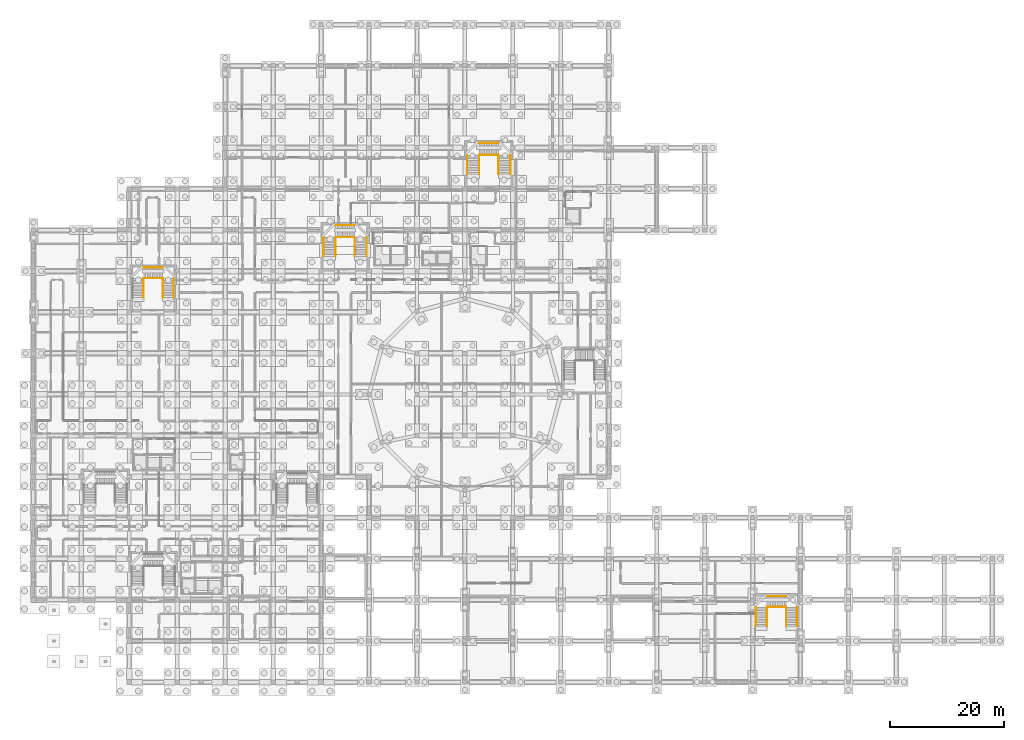
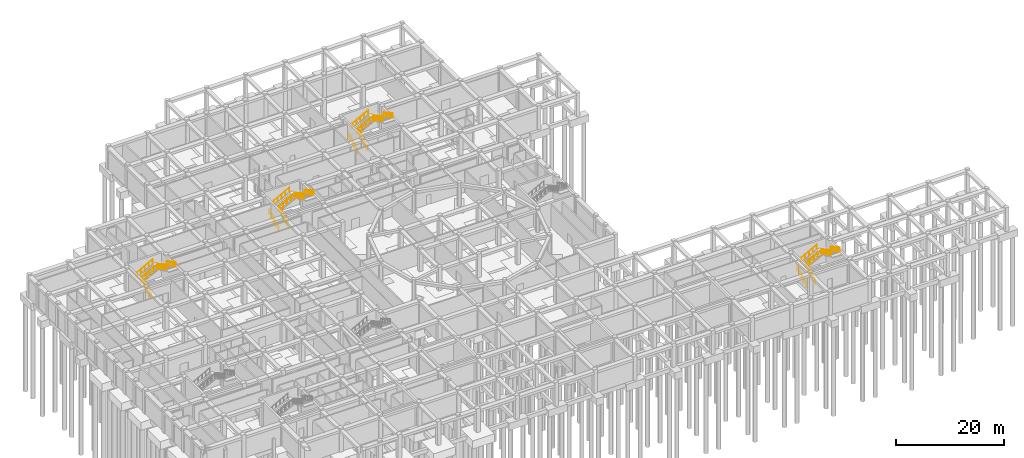
# One storey, part 31 of 32: 23 railings.
"""IFC4 building model written with IfcOpenShell, lengths in metres."""

from ifc_helpers import new_model, si_unit, derived_unit, direction, frame, origin, origin_2d, place, context, subcontext, project, spatial, circle, extrude, material, type_object, element, save


model = new_model("IFC4")

# Units and contexts
model_context = context("Model", 3, precision=1e-05, world=origin(), true_north=direction((0.0, 1.0)))
body_context = subcontext(model_context, "Body", "Model", "MODEL_VIEW")
ifc_project = project(units=[si_unit("LENGTHUNIT", "METRE"), si_unit("AREAUNIT", "SQUARE_METRE"), si_unit("VOLUMEUNIT", "CUBIC_METRE"), si_unit("PLANEANGLEUNIT", "RADIAN"), si_unit("MASSUNIT", "GRAM", prefix="KILO"), derived_unit("THERMALTRANSMITTANCEUNIT", [(si_unit("POWERUNIT", "WATT"), 1), (si_unit("LENGTHUNIT", "METRE"), -2), (si_unit("THERMODYNAMICTEMPERATUREUNIT", "KELVIN"), -1)])], contexts=[model_context])

# Site, building, storey
site_placement = place(None, origin())
site = spatial("IfcSite", under=ifc_project, at=site_placement, CompositionType="ELEMENT")
building_placement = place(site_placement, origin())
building = spatial("IfcBuilding", under=site, at=building_placement, Name="Veybourne Emporium", CompositionType="ELEMENT")
storey_placement = place(building_placement, frame((0.0, 0.0, -5.39990234375)))
storey = spatial("IfcBuildingStorey", under=building, at=storey_placement, Name="B1", CompositionType="ELEMENT", Elevation=-5.39990234375)

# Railings
ifc_material = material(Name="Brushed Stainless Steel", Category="steel")
railing_type_1 = type_object("IfcRailingType", Name="Guard_GR-01", PredefinedType="GUARDRAIL", material=ifc_material)
railing_1_placement = place(storey_placement, frame((52.909912109375, 74.60009765625, 0.0)))
element("IfcRailing", 1, at=railing_1_placement, inside=storey, type_object=railing_type_1, Name="B1 ST-03 stair guard 1", PredefinedType="GUARDRAIL", context=body_context, shape_type="SweptSolid", body=[
    extrude(circle(Radius=0.02392578125, at=origin_2d()), frame((0.0, 0.0, 1.1259765625), z_axis=(0.0, 0.877905501855, 0.478833927173), x_axis=(-1.0, 0.0, 0.0)), (0.0, 0.0, 1.0), 3.7587890625),
    extrude(circle(Radius=0.02392578125, at=origin_2d()), frame((0.0, 3.2998046875, 2.92578125), z_axis=(0.0, 1.0, 0.0), x_axis=(-1.0, 0.0, 0.0)), (0.0, 0.0, 1.0), 0.0400390625),
    extrude(circle(Radius=0.02099609375, at=origin_2d()), origin(), (0.0, 0.0, 1.0), 1.101806640625),
    extrude(circle(Radius=0.02099609375, at=origin_2d()), frame((0.0, 0.824951171875, 0.449951171875)), (0.0, 0.0, 1.0), 1.101806640625),
    extrude(circle(Radius=0.02099609375, at=origin_2d()), frame((0.0, 1.64990234375, 0.89990234375)), (0.0, 0.0, 1.0), 1.101806640625),
    extrude(circle(Radius=0.02099609375, at=origin_2d()), frame((0.0, 2.474853515625, 1.349853515625)), (0.0, 0.0, 1.0), 1.101806640625),
    extrude(circle(Radius=0.02099609375, at=origin_2d()), frame((0.0, 3.2998046875, 1.7998046875)), (0.0, 0.0, 1.0), 1.101806640625),
    extrude(circle(Radius=0.02099609375, at=origin_2d()), frame((0.0, 3.33984375, 1.7998046875)), (0.0, 0.0, 1.0), 1.101806640625),
])
railing_2_placement = place(storey_placement, frame((52.909912109375, 77.93994140625, 1.7998046875)))
element("IfcRailing", 2, at=railing_2_placement, inside=storey, type_object=railing_type_1, Name="B1 ST-03 stair guard 2", PredefinedType="GUARDRAIL", context=body_context, shape_type="SweptSolid", body=[
    extrude(circle(Radius=0.02392578125, at=origin_2d()), frame((0.0, 0.0, 1.1259765625), z_axis=(0.880301621994, 0.0, 0.47441443308), x_axis=(0.0, 1.0, 0.0)), (0.0, 0.0, 1.0), 3.794189453125),
    extrude(circle(Radius=0.02392578125, at=origin_2d()), frame((3.340087890625, 0.0, 2.92578125), z_axis=(1.0, 0.0, 0.0), x_axis=(0.0, 1.0, 0.0)), (0.0, 0.0, 1.0), 0.0400390625),
    extrude(circle(Radius=0.02099609375, at=origin_2d()), origin(), (0.0, 0.0, 1.0), 1.101806640625),
    extrude(circle(Radius=0.02099609375, at=origin_2d()), frame((0.8349609375, 0.0, 0.449951171875)), (0.0, 0.0, 1.0), 1.101806640625),
    extrude(circle(Radius=0.02099609375, at=origin_2d()), frame((1.669921875, 0.0, 0.89990234375)), (0.0, 0.0, 1.0), 1.101806640625),
    extrude(circle(Radius=0.02099609375, at=origin_2d()), frame((2.505126953125, 0.0, 1.35009765625)), (0.0, 0.0, 1.0), 1.101806640625),
    extrude(circle(Radius=0.02099609375, at=origin_2d()), frame((3.340087890625, 0.0, 1.800048828125)), (0.0, 0.0, 1.0), 1.101806640625),
    extrude(circle(Radius=0.02099609375, at=origin_2d()), frame((3.380126953125, 0.0, 1.800048828125)), (0.0, 0.0, 1.0), 1.101806640625),
])
railing_3_placement = place(storey_placement, frame((56.2900390625, 77.93994140625, 3.599853515625)))
element("IfcRailing", 3, at=railing_3_placement, inside=storey, type_object=railing_type_1, Name="B1 ST-03 stair guard 3", PredefinedType="GUARDRAIL", context=body_context, shape_type="SweptSolid", body=[
    extrude(circle(Radius=0.02392578125, at=origin_2d()), frame((0.0, 0.0, 1.1259765625), z_axis=(0.0, -1.0, 0.0), x_axis=(1.0, 0.0, 0.0)), (0.0, 0.0, 1.0), 0.0400390625),
    extrude(circle(Radius=0.02392578125, at=origin_2d()), frame((0.0, -0.0400390625, 1.1259765625), z_axis=(0.0, -0.8778781969, 0.478883985332), x_axis=(1.0, 0.0, 0.0)), (0.0, 0.0, 1.0), 3.7587890625),
    extrude(circle(Radius=0.02099609375, at=origin_2d()), origin(), (0.0, 0.0, 1.0), 1.101806640625),
    extrude(circle(Radius=0.02099609375, at=origin_2d()), frame((0.0, -0.0400390625, 0.0)), (0.0, 0.0, 1.0), 1.101806640625),
    extrude(circle(Radius=0.02099609375, at=origin_2d()), frame((0.0, -0.864990234375, 0.449951171875)), (0.0, 0.0, 1.0), 1.101806640625),
    extrude(circle(Radius=0.02099609375, at=origin_2d()), frame((0.0, -1.68994140625, 0.89990234375)), (0.0, 0.0, 1.0), 1.101806640625),
    extrude(circle(Radius=0.02099609375, at=origin_2d()), frame((0.0, -2.514892578125, 1.35009765625)), (0.0, 0.0, 1.0), 1.101806640625),
    extrude(circle(Radius=0.02099609375, at=origin_2d()), frame((0.0, -3.33984375, 1.800048828125)), (0.0, 0.0, 1.0), 1.101806640625),
])
railing_4_placement = place(storey_placement, frame((78.110107421875, 89.0, 0.0)))
element("IfcRailing", 4, at=railing_4_placement, inside=storey, type_object=railing_type_1, Name="B1 ST-04 stair guard 1", PredefinedType="GUARDRAIL", context=body_context, shape_type="SweptSolid", body=[
    extrude(circle(Radius=0.02392578125, at=origin_2d()), frame((0.0, 0.0, 1.1259765625), z_axis=(0.0, 0.877920393143, 0.478806624122), x_axis=(-1.0, 0.0, 0.0)), (0.0, 0.0, 1.0), 3.759033203125),
    extrude(circle(Radius=0.02392578125, at=origin_2d()), frame((0.0, 3.300048828125, 2.92578125), z_axis=(0.0, 1.0, 0.0), x_axis=(-1.0, 0.0, 0.0)), (0.0, 0.0, 1.0), 0.0400390625),
    extrude(circle(Radius=0.02099609375, at=origin_2d()), origin(), (0.0, 0.0, 1.0), 1.101806640625),
    extrude(circle(Radius=0.02099609375, at=origin_2d()), frame((0.0, 0.824951171875, 0.449951171875)), (0.0, 0.0, 1.0), 1.101806640625),
    extrude(circle(Radius=0.02099609375, at=origin_2d()), frame((0.0, 1.64990234375, 0.89990234375)), (0.0, 0.0, 1.0), 1.101806640625),
    extrude(circle(Radius=0.02099609375, at=origin_2d()), frame((0.0, 2.47509765625, 1.349853515625)), (0.0, 0.0, 1.0), 1.101806640625),
    extrude(circle(Radius=0.02099609375, at=origin_2d()), frame((0.0, 3.300048828125, 1.7998046875)), (0.0, 0.0, 1.0), 1.101806640625),
    extrude(circle(Radius=0.02099609375, at=origin_2d()), frame((0.0, 3.340087890625, 1.7998046875)), (0.0, 0.0, 1.0), 1.101806640625),
])
railing_5_placement = place(storey_placement, frame((78.110107421875, 92.340087890625, 1.7998046875)))
element("IfcRailing", 5, at=railing_5_placement, inside=storey, type_object=railing_type_1, Name="B1 ST-04 stair guard 2", PredefinedType="GUARDRAIL", context=body_context, shape_type="SweptSolid", body=[
    extrude(circle(Radius=0.02392578125, at=origin_2d()), frame((0.0, 0.0, 1.1259765625), z_axis=(0.880287138734, 0.0, 0.47444130657), x_axis=(0.0, 1.0, 0.0)), (0.0, 0.0, 1.0), 3.7939453125),
    extrude(circle(Radius=0.02392578125, at=origin_2d()), frame((3.33984375, 0.0, 2.92578125), z_axis=(1.0, 0.0, 0.0), x_axis=(0.0, 1.0, 0.0)), (0.0, 0.0, 1.0), 0.0400390625),
    extrude(circle(Radius=0.02099609375, at=origin_2d()), origin(), (0.0, 0.0, 1.0), 1.101806640625),
    extrude(circle(Radius=0.02099609375, at=origin_2d()), frame((0.8349609375, 0.0, 0.449951171875)), (0.0, 0.0, 1.0), 1.101806640625),
    extrude(circle(Radius=0.02099609375, at=origin_2d()), frame((1.669921875, 0.0, 0.89990234375)), (0.0, 0.0, 1.0), 1.101806640625),
    extrude(circle(Radius=0.02099609375, at=origin_2d()), frame((2.5048828125, 0.0, 1.35009765625)), (0.0, 0.0, 1.0), 1.101806640625),
    extrude(circle(Radius=0.02099609375, at=origin_2d()), frame((3.33984375, 0.0, 1.800048828125)), (0.0, 0.0, 1.0), 1.101806640625),
    extrude(circle(Radius=0.02099609375, at=origin_2d()), frame((3.3798828125, 0.0, 1.800048828125)), (0.0, 0.0, 1.0), 1.101806640625),
])
railing_6_placement = place(storey_placement, frame((81.489990234375, 92.340087890625, 3.599853515625)))
element("IfcRailing", 6, at=railing_6_placement, inside=storey, type_object=railing_type_1, Name="B1 ST-04 stair guard 3", PredefinedType="GUARDRAIL", context=body_context, shape_type="SweptSolid", body=[
    extrude(circle(Radius=0.02392578125, at=origin_2d()), frame((0.0, 0.0, 1.1259765625), z_axis=(0.0, -1.0, 0.0), x_axis=(1.0, 0.0, 0.0)), (0.0, 0.0, 1.0), 0.0400390625),
    extrude(circle(Radius=0.02392578125, at=origin_2d()), frame((0.0, -0.0400390625, 1.1259765625), z_axis=(0.0, -0.877893090839, 0.478856681124), x_axis=(1.0, 0.0, 0.0)), (0.0, 0.0, 1.0), 3.759033203125),
    extrude(circle(Radius=0.02099609375, at=origin_2d()), origin(), (0.0, 0.0, 1.0), 1.101806640625),
    extrude(circle(Radius=0.02099609375, at=origin_2d()), frame((0.0, -0.0400390625, 0.0)), (0.0, 0.0, 1.0), 1.101806640625),
    extrude(circle(Radius=0.02099609375, at=origin_2d()), frame((0.0, -0.864990234375, 0.449951171875)), (0.0, 0.0, 1.0), 1.101806640625),
    extrude(circle(Radius=0.02099609375, at=origin_2d()), frame((0.0, -1.68994140625, 0.89990234375)), (0.0, 0.0, 1.0), 1.101806640625),
    extrude(circle(Radius=0.02099609375, at=origin_2d()), frame((0.0, -2.51513671875, 1.35009765625)), (0.0, 0.0, 1.0), 1.101806640625),
    extrude(circle(Radius=0.02099609375, at=origin_2d()), frame((0.0, -3.340087890625, 1.800048828125)), (0.0, 0.0, 1.0), 1.101806640625),
])
railing_7_placement = place(storey_placement, frame((128.510009765625, 9.800048828125, 0.0)))
element("IfcRailing", 7, at=railing_7_placement, inside=storey, type_object=railing_type_1, Name="B1 ST-06 stair guard 1", PredefinedType="GUARDRAIL", context=body_context, shape_type="SweptSolid", body=[
    extrude(circle(Radius=0.02392578125, at=origin_2d()), frame((0.0, 0.0, 1.1259765625), z_axis=(0.0, 0.877920393143, 0.478806624122), x_axis=(-1.0, 0.0, 0.0)), (0.0, 0.0, 1.0), 3.759033203125),
    extrude(circle(Radius=0.02392578125, at=origin_2d()), frame((0.0, 3.300048828125, 2.92578125), z_axis=(0.0, 1.0, 0.0), x_axis=(-1.0, 0.0, 0.0)), (0.0, 0.0, 1.0), 0.039794921875),
    extrude(circle(Radius=0.02099609375, at=origin_2d()), origin(), (0.0, 0.0, 1.0), 1.101806640625),
    extrude(circle(Radius=0.02099609375, at=origin_2d()), frame((0.0, 0.824951171875, 0.449951171875)), (0.0, 0.0, 1.0), 1.101806640625),
    extrude(circle(Radius=0.02099609375, at=origin_2d()), frame((0.0, 1.64990234375, 0.89990234375)), (0.0, 0.0, 1.0), 1.101806640625),
    extrude(circle(Radius=0.02099609375, at=origin_2d()), frame((0.0, 2.47509765625, 1.349853515625)), (0.0, 0.0, 1.0), 1.101806640625),
    extrude(circle(Radius=0.02099609375, at=origin_2d()), frame((0.0, 3.300048828125, 1.7998046875)), (0.0, 0.0, 1.0), 1.101806640625),
    extrude(circle(Radius=0.02099609375, at=origin_2d()), frame((0.0, 3.33984375, 1.7998046875)), (0.0, 0.0, 1.0), 1.101806640625),
])
railing_8_placement = place(storey_placement, frame((128.510009765625, 13.139892578125, 1.7998046875)))
element("IfcRailing", 8, at=railing_8_placement, inside=storey, type_object=railing_type_1, Name="B1 ST-06 stair guard 2", PredefinedType="GUARDRAIL", context=body_context, shape_type="SweptSolid", body=[
    extrude(circle(Radius=0.02392578125, at=origin_2d()), frame((0.0, 0.0, 1.1259765625), z_axis=(0.880301621994, 0.0, 0.47441443308), x_axis=(0.0, 1.0, 0.0)), (0.0, 0.0, 1.0), 3.794189453125),
    extrude(circle(Radius=0.02392578125, at=origin_2d()), frame((3.340087890625, 0.0, 2.92578125), z_axis=(1.0, 0.0, 0.0), x_axis=(0.0, 1.0, 0.0)), (0.0, 0.0, 1.0), 0.039794921875),
    extrude(circle(Radius=0.02099609375, at=origin_2d()), origin(), (0.0, 0.0, 1.0), 1.101806640625),
    extrude(circle(Radius=0.02099609375, at=origin_2d()), frame((0.8349609375, 0.0, 0.449951171875)), (0.0, 0.0, 1.0), 1.101806640625),
    extrude(circle(Radius=0.02099609375, at=origin_2d()), frame((1.669921875, 0.0, 0.89990234375)), (0.0, 0.0, 1.0), 1.101806640625),
    extrude(circle(Radius=0.02099609375, at=origin_2d()), frame((2.505126953125, 0.0, 1.35009765625)), (0.0, 0.0, 1.0), 1.101806640625),
    extrude(circle(Radius=0.02099609375, at=origin_2d()), frame((3.340087890625, 0.0, 1.800048828125)), (0.0, 0.0, 1.0), 1.101806640625),
    extrude(circle(Radius=0.02099609375, at=origin_2d()), frame((3.3798828125, 0.0, 1.800048828125)), (0.0, 0.0, 1.0), 1.101806640625),
])
railing_9_placement = place(storey_placement, frame((131.889892578125, 13.139892578125, 3.599853515625)))
element("IfcRailing", 9, at=railing_9_placement, inside=storey, type_object=railing_type_1, Name="B1 ST-06 stair guard 3", PredefinedType="GUARDRAIL", context=body_context, shape_type="SweptSolid", body=[
    extrude(circle(Radius=0.02392578125, at=origin_2d()), frame((0.0, 0.0, 1.1259765625), z_axis=(0.0, -1.0, 0.0), x_axis=(1.0, 0.0, 0.0)), (0.0, 0.0, 1.0), 0.039794921875),
    extrude(circle(Radius=0.02392578125, at=origin_2d()), frame((0.0, -0.039794921875, 1.1259765625), z_axis=(0.0, -0.877893090839, 0.478856681124), x_axis=(1.0, 0.0, 0.0)), (0.0, 0.0, 1.0), 3.759033203125),
    extrude(circle(Radius=0.02099609375, at=origin_2d()), origin(), (0.0, 0.0, 1.0), 1.101806640625),
    extrude(circle(Radius=0.02099609375, at=origin_2d()), frame((0.0, -0.039794921875, 0.0)), (0.0, 0.0, 1.0), 1.101806640625),
    extrude(circle(Radius=0.02099609375, at=origin_2d()), frame((0.0, -0.86474609375, 0.449951171875)), (0.0, 0.0, 1.0), 1.101806640625),
    extrude(circle(Radius=0.02099609375, at=origin_2d()), frame((0.0, -1.68994140625, 0.89990234375)), (0.0, 0.0, 1.0), 1.101806640625),
    extrude(circle(Radius=0.02099609375, at=origin_2d()), frame((0.0, -2.514892578125, 1.35009765625)), (0.0, 0.0, 1.0), 1.101806640625),
    extrude(circle(Radius=0.02099609375, at=origin_2d()), frame((0.0, -3.33984375, 1.800048828125)), (0.0, 0.0, 1.0), 1.101806640625),
])
railing_10_placement = place(storey_placement, frame((19.31005859375, 67.39990234375, 0.0)))
element("IfcRailing", 10, at=railing_10_placement, inside=storey, type_object=railing_type_1, Name="B1 ST-08 stair guard 1", PredefinedType="GUARDRAIL", context=body_context, shape_type="SweptSolid", body=[
    extrude(circle(Radius=0.02392578125, at=origin_2d()), frame((0.0, 0.0, 1.1259765625), z_axis=(0.0, 0.877920393143, 0.478806624122), x_axis=(-1.0, 0.0, 0.0)), (0.0, 0.0, 1.0), 3.759033203125),
    extrude(circle(Radius=0.02392578125, at=origin_2d()), frame((0.0, 3.300048828125, 2.92578125), z_axis=(0.0, 1.0, 0.0), x_axis=(-1.0, 0.0, 0.0)), (0.0, 0.0, 1.0), 0.0400390625),
    extrude(circle(Radius=0.02099609375, at=origin_2d()), origin(), (0.0, 0.0, 1.0), 1.101806640625),
    extrude(circle(Radius=0.02099609375, at=origin_2d()), frame((0.0, 0.824951171875, 0.449951171875)), (0.0, 0.0, 1.0), 1.101806640625),
    extrude(circle(Radius=0.02099609375, at=origin_2d()), frame((0.0, 1.64990234375, 0.89990234375)), (0.0, 0.0, 1.0), 1.101806640625),
    extrude(circle(Radius=0.02099609375, at=origin_2d()), frame((0.0, 2.47509765625, 1.349853515625)), (0.0, 0.0, 1.0), 1.101806640625),
    extrude(circle(Radius=0.02099609375, at=origin_2d()), frame((0.0, 3.300048828125, 1.7998046875)), (0.0, 0.0, 1.0), 1.101806640625),
    extrude(circle(Radius=0.02099609375, at=origin_2d()), frame((0.0, 3.340087890625, 1.7998046875)), (0.0, 0.0, 1.0), 1.101806640625),
])
railing_11_placement = place(storey_placement, frame((19.31005859375, 70.739990234375, 1.7998046875)))
element("IfcRailing", 11, at=railing_11_placement, inside=storey, type_object=railing_type_1, Name="B1 ST-08 stair guard 2", PredefinedType="GUARDRAIL", context=body_context, shape_type="SweptSolid", body=[
    extrude(circle(Radius=0.02392578125, at=origin_2d()), frame((0.0, 0.0, 1.1259765625), z_axis=(0.880287138734, 0.0, 0.47444130657), x_axis=(0.0, 1.0, 0.0)), (0.0, 0.0, 1.0), 3.7939453125),
    extrude(circle(Radius=0.02392578125, at=origin_2d()), frame((3.33984375, 0.0, 2.92578125), z_axis=(1.0, 0.0, 0.0), x_axis=(0.0, 1.0, 0.0)), (0.0, 0.0, 1.0), 0.0400390625),
    extrude(circle(Radius=0.02099609375, at=origin_2d()), origin(), (0.0, 0.0, 1.0), 1.101806640625),
    extrude(circle(Radius=0.02099609375, at=origin_2d()), frame((0.8349609375, 0.0, 0.449951171875)), (0.0, 0.0, 1.0), 1.101806640625),
    extrude(circle(Radius=0.02099609375, at=origin_2d()), frame((1.669921875, 0.0, 0.89990234375)), (0.0, 0.0, 1.0), 1.101806640625),
    extrude(circle(Radius=0.02099609375, at=origin_2d()), frame((2.5048828125, 0.0, 1.35009765625)), (0.0, 0.0, 1.0), 1.101806640625),
    extrude(circle(Radius=0.02099609375, at=origin_2d()), frame((3.33984375, 0.0, 1.800048828125)), (0.0, 0.0, 1.0), 1.101806640625),
    extrude(circle(Radius=0.02099609375, at=origin_2d()), frame((3.3798828125, 0.0, 1.800048828125)), (0.0, 0.0, 1.0), 1.101806640625),
])
railing_12_placement = place(storey_placement, frame((22.68994140625, 70.739990234375, 3.599853515625)))
element("IfcRailing", 12, at=railing_12_placement, inside=storey, type_object=railing_type_1, Name="B1 ST-08 stair guard 3", PredefinedType="GUARDRAIL", context=body_context, shape_type="SweptSolid", body=[
    extrude(circle(Radius=0.02392578125, at=origin_2d()), frame((0.0, 0.0, 1.1259765625), z_axis=(0.0, -1.0, 0.0), x_axis=(1.0, 0.0, 0.0)), (0.0, 0.0, 1.0), 0.0400390625),
    extrude(circle(Radius=0.02392578125, at=origin_2d()), frame((0.0, -0.0400390625, 1.1259765625), z_axis=(0.0, -0.877893090839, 0.478856681124), x_axis=(1.0, 0.0, 0.0)), (0.0, 0.0, 1.0), 3.759033203125),
    extrude(circle(Radius=0.02099609375, at=origin_2d()), origin(), (0.0, 0.0, 1.0), 1.101806640625),
    extrude(circle(Radius=0.02099609375, at=origin_2d()), frame((0.0, -0.0400390625, 0.0)), (0.0, 0.0, 1.0), 1.101806640625),
    extrude(circle(Radius=0.02099609375, at=origin_2d()), frame((0.0, -0.864990234375, 0.449951171875)), (0.0, 0.0, 1.0), 1.101806640625),
    extrude(circle(Radius=0.02099609375, at=origin_2d()), frame((0.0, -1.68994140625, 0.89990234375)), (0.0, 0.0, 1.0), 1.101806640625),
    extrude(circle(Radius=0.02099609375, at=origin_2d()), frame((0.0, -2.51513671875, 1.35009765625)), (0.0, 0.0, 1.0), 1.101806640625),
    extrude(circle(Radius=0.02099609375, at=origin_2d()), frame((0.0, -3.340087890625, 1.800048828125)), (0.0, 0.0, 1.0), 1.101806640625),
])
railing_type_2 = type_object("IfcRailingType", Name="Handrail_HR-01", PredefinedType="HANDRAIL", material=ifc_material)
railing_13_placement = place(storey_placement, frame((50.81005859375, 74.60009765625, 0.14990234375)))
element("IfcRailing", 13, at=railing_13_placement, inside=storey, type_object=railing_type_2, Name="B1 ST-03 pitch handrail 1", PredefinedType="HANDRAIL", context=body_context, shape_type="SweptSolid", body=[
    extrude(circle(Radius=0.02392578125, at=origin_2d()), frame((0.0, 0.0, 0.92578125), z_axis=(0.0, 0.8778781969, 0.478883985332), x_axis=(-1.0, 0.0, 0.0)), (0.0, 0.0, 1.0), 3.7587890625),
    extrude(circle(Radius=0.02099609375, at=origin_2d()), frame((0.0, 0.0, -0.14990234375)), (0.0, 0.0, 1.0), 1.0517578125),
    extrude(circle(Radius=0.02099609375, at=origin_2d()), frame((0.0, 0.824951171875, 0.300048828125)), (0.0, 0.0, 1.0), 1.0517578125),
    extrude(circle(Radius=0.02099609375, at=origin_2d()), frame((0.0, 1.64990234375, 0.75)), (0.0, 0.0, 1.0), 1.0517578125),
    extrude(circle(Radius=0.02099609375, at=origin_2d()), frame((0.0, 2.474853515625, 1.2001953125)), (0.0, 0.0, 1.0), 1.0517578125),
    extrude(circle(Radius=0.02099609375, at=origin_2d()), frame((0.0, 3.2998046875, 1.650146484375)), (0.0, 0.0, 1.0), 1.0517578125),
])
railing_14_placement = place(storey_placement, frame((52.949951171875, 80.0400390625, 1.949951171875)))
element("IfcRailing", 14, at=railing_14_placement, inside=storey, type_object=railing_type_2, Name="B1 ST-03 pitch handrail 2", PredefinedType="HANDRAIL", context=body_context, shape_type="SweptSolid", body=[
    extrude(circle(Radius=0.02392578125, at=origin_2d()), frame((0.0, 0.0, 0.92578125), z_axis=(0.877893090839, 0.0, 0.478856681124), x_axis=(0.0, 1.0, 0.0)), (0.0, 0.0, 1.0), 3.759033203125),
    extrude(circle(Radius=0.02099609375, at=origin_2d()), frame((0.0, 0.0, -0.14990234375)), (0.0, 0.0, 1.0), 1.0517578125),
    extrude(circle(Radius=0.02099609375, at=origin_2d()), frame((0.824951171875, 0.0, 0.300048828125)), (0.0, 0.0, 1.0), 1.0517578125),
    extrude(circle(Radius=0.02099609375, at=origin_2d()), frame((1.64990234375, 0.0, 0.75)), (0.0, 0.0, 1.0), 1.0517578125),
    extrude(circle(Radius=0.02099609375, at=origin_2d()), frame((2.47509765625, 0.0, 1.2001953125)), (0.0, 0.0, 1.0), 1.0517578125),
    extrude(circle(Radius=0.02099609375, at=origin_2d()), frame((3.300048828125, 0.0, 1.650146484375)), (0.0, 0.0, 1.0), 1.0517578125),
])
railing_15_placement = place(storey_placement, frame((58.389892578125, 77.89990234375, 3.75)))
element("IfcRailing", 15, at=railing_15_placement, inside=storey, type_object=railing_type_2, Name="B1 ST-03 pitch handrail 3", PredefinedType="HANDRAIL", context=body_context, shape_type="SweptSolid", body=[
    extrude(circle(Radius=0.02392578125, at=origin_2d()), frame((0.0, 0.0, 0.92578125), z_axis=(0.0, -0.877905501855, 0.478833927173), x_axis=(1.0, 0.0, 0.0)), (0.0, 0.0, 1.0), 3.7587890625),
    extrude(circle(Radius=0.02099609375, at=origin_2d()), frame((0.0, 0.0, -0.14990234375)), (0.0, 0.0, 1.0), 1.0517578125),
    extrude(circle(Radius=0.02099609375, at=origin_2d()), frame((0.0, -0.824951171875, 0.300048828125)), (0.0, 0.0, 1.0), 1.0517578125),
    extrude(circle(Radius=0.02099609375, at=origin_2d()), frame((0.0, -1.64990234375, 0.75)), (0.0, 0.0, 1.0), 1.0517578125),
    extrude(circle(Radius=0.02099609375, at=origin_2d()), frame((0.0, -2.474853515625, 1.199951171875)), (0.0, 0.0, 1.0), 1.0517578125),
    extrude(circle(Radius=0.02099609375, at=origin_2d()), frame((0.0, -3.2998046875, 1.64990234375)), (0.0, 0.0, 1.0), 1.0517578125),
])
railing_16_placement = place(storey_placement, frame((76.010009765625, 89.0, 0.14990234375)))
element("IfcRailing", 16, at=railing_16_placement, inside=storey, type_object=railing_type_2, Name="B1 ST-04 pitch handrail 1", PredefinedType="HANDRAIL", context=body_context, shape_type="SweptSolid", body=[
    extrude(circle(Radius=0.02392578125, at=origin_2d()), frame((0.0, 0.0, 0.92578125), z_axis=(0.0, 0.877893090839, 0.478856681124), x_axis=(-1.0, 0.0, 0.0)), (0.0, 0.0, 1.0), 3.759033203125),
    extrude(circle(Radius=0.02099609375, at=origin_2d()), frame((0.0, 0.0, -0.14990234375)), (0.0, 0.0, 1.0), 1.0517578125),
    extrude(circle(Radius=0.02099609375, at=origin_2d()), frame((0.0, 0.824951171875, 0.300048828125)), (0.0, 0.0, 1.0), 1.0517578125),
    extrude(circle(Radius=0.02099609375, at=origin_2d()), frame((0.0, 1.64990234375, 0.75)), (0.0, 0.0, 1.0), 1.0517578125),
    extrude(circle(Radius=0.02099609375, at=origin_2d()), frame((0.0, 2.47509765625, 1.2001953125)), (0.0, 0.0, 1.0), 1.0517578125),
    extrude(circle(Radius=0.02099609375, at=origin_2d()), frame((0.0, 3.300048828125, 1.650146484375)), (0.0, 0.0, 1.0), 1.0517578125),
])
railing_17_placement = place(storey_placement, frame((78.14990234375, 94.43994140625, 1.949951171875)))
element("IfcRailing", 17, at=railing_17_placement, inside=storey, type_object=railing_type_2, Name="B1 ST-04 pitch handrail 2", PredefinedType="HANDRAIL", context=body_context, shape_type="SweptSolid", body=[
    extrude(circle(Radius=0.02392578125, at=origin_2d()), frame((0.0, 0.0, 0.92578125), z_axis=(0.877893090839, 0.0, 0.478856681124), x_axis=(0.0, 1.0, 0.0)), (0.0, 0.0, 1.0), 3.759033203125),
    extrude(circle(Radius=0.02099609375, at=origin_2d()), frame((0.0, 0.0, -0.14990234375)), (0.0, 0.0, 1.0), 1.0517578125),
    extrude(circle(Radius=0.02099609375, at=origin_2d()), frame((0.824951171875, 0.0, 0.300048828125)), (0.0, 0.0, 1.0), 1.0517578125),
    extrude(circle(Radius=0.02099609375, at=origin_2d()), frame((1.64990234375, 0.0, 0.75)), (0.0, 0.0, 1.0), 1.0517578125),
    extrude(circle(Radius=0.02099609375, at=origin_2d()), frame((2.47509765625, 0.0, 1.2001953125)), (0.0, 0.0, 1.0), 1.0517578125),
    extrude(circle(Radius=0.02099609375, at=origin_2d()), frame((3.300048828125, 0.0, 1.650146484375)), (0.0, 0.0, 1.0), 1.0517578125),
])
railing_18_placement = place(storey_placement, frame((83.590087890625, 92.300048828125, 3.75)))
element("IfcRailing", 18, at=railing_18_placement, inside=storey, type_object=railing_type_2, Name="B1 ST-04 pitch handrail 3", PredefinedType="HANDRAIL", context=body_context, shape_type="SweptSolid", body=[
    extrude(circle(Radius=0.02392578125, at=origin_2d()), frame((0.0, 0.0, 0.92578125), z_axis=(0.0, -0.877920393143, 0.478806624122), x_axis=(1.0, 0.0, 0.0)), (0.0, 0.0, 1.0), 3.759033203125),
    extrude(circle(Radius=0.02099609375, at=origin_2d()), frame((0.0, 0.0, -0.14990234375)), (0.0, 0.0, 1.0), 1.0517578125),
    extrude(circle(Radius=0.02099609375, at=origin_2d()), frame((0.0, -0.824951171875, 0.300048828125)), (0.0, 0.0, 1.0), 1.0517578125),
    extrude(circle(Radius=0.02099609375, at=origin_2d()), frame((0.0, -1.64990234375, 0.75)), (0.0, 0.0, 1.0), 1.0517578125),
    extrude(circle(Radius=0.02099609375, at=origin_2d()), frame((0.0, -2.47509765625, 1.199951171875)), (0.0, 0.0, 1.0), 1.0517578125),
    extrude(circle(Radius=0.02099609375, at=origin_2d()), frame((0.0, -3.300048828125, 1.64990234375)), (0.0, 0.0, 1.0), 1.0517578125),
])
railing_19_placement = place(storey_placement, frame((126.610107421875, 9.800048828125, 0.14990234375)))
element("IfcRailing", 19, at=railing_19_placement, inside=storey, type_object=railing_type_2, Name="B1 ST-06 pitch handrail 1", PredefinedType="HANDRAIL", context=body_context, shape_type="SweptSolid", body=[
    extrude(circle(Radius=0.02392578125, at=origin_2d()), frame((0.0, 0.0, 0.92578125), z_axis=(0.0, 0.877893090839, 0.478856681124), x_axis=(-1.0, 0.0, 0.0)), (0.0, 0.0, 1.0), 3.759033203125),
    extrude(circle(Radius=0.02099609375, at=origin_2d()), frame((0.0, 0.0, -0.14990234375)), (0.0, 0.0, 1.0), 1.0517578125),
    extrude(circle(Radius=0.02099609375, at=origin_2d()), frame((0.0, 0.824951171875, 0.300048828125)), (0.0, 0.0, 1.0), 1.0517578125),
    extrude(circle(Radius=0.02099609375, at=origin_2d()), frame((0.0, 1.64990234375, 0.75)), (0.0, 0.0, 1.0), 1.0517578125),
    extrude(circle(Radius=0.02099609375, at=origin_2d()), frame((0.0, 2.47509765625, 1.2001953125)), (0.0, 0.0, 1.0), 1.0517578125),
    extrude(circle(Radius=0.02099609375, at=origin_2d()), frame((0.0, 3.300048828125, 1.650146484375)), (0.0, 0.0, 1.0), 1.0517578125),
])
railing_20_placement = place(storey_placement, frame((128.550048828125, 15.0400390625, 1.949951171875)))
element("IfcRailing", 20, at=railing_20_placement, inside=storey, type_object=railing_type_2, Name="B1 ST-06 pitch handrail 2", PredefinedType="HANDRAIL", context=body_context, shape_type="SweptSolid", body=[
    extrude(circle(Radius=0.02392578125, at=origin_2d()), frame((0.0, 0.0, 0.92578125), z_axis=(0.877893090839, 0.0, 0.478856681124), x_axis=(0.0, 1.0, 0.0)), (0.0, 0.0, 1.0), 3.759033203125),
    extrude(circle(Radius=0.02099609375, at=origin_2d()), frame((0.0, 0.0, -0.14990234375)), (0.0, 0.0, 1.0), 1.0517578125),
    extrude(circle(Radius=0.02099609375, at=origin_2d()), frame((0.824951171875, 0.0, 0.300048828125)), (0.0, 0.0, 1.0), 1.0517578125),
    extrude(circle(Radius=0.02099609375, at=origin_2d()), frame((1.64990234375, 0.0, 0.75)), (0.0, 0.0, 1.0), 1.0517578125),
    extrude(circle(Radius=0.02099609375, at=origin_2d()), frame((2.47509765625, 0.0, 1.2001953125)), (0.0, 0.0, 1.0), 1.0517578125),
    extrude(circle(Radius=0.02099609375, at=origin_2d()), frame((3.300048828125, 0.0, 1.650146484375)), (0.0, 0.0, 1.0), 1.0517578125),
])
railing_21_placement = place(storey_placement, frame((133.7900390625, 13.10009765625, 3.75)))
element("IfcRailing", 21, at=railing_21_placement, inside=storey, type_object=railing_type_2, Name="B1 ST-06 pitch handrail 3", PredefinedType="HANDRAIL", context=body_context, shape_type="SweptSolid", body=[
    extrude(circle(Radius=0.02392578125, at=origin_2d()), frame((0.0, 0.0, 0.92578125), z_axis=(0.0, -0.877920393143, 0.478806624122), x_axis=(1.0, 0.0, 0.0)), (0.0, 0.0, 1.0), 3.759033203125),
    extrude(circle(Radius=0.02099609375, at=origin_2d()), frame((0.0, 0.0, -0.14990234375)), (0.0, 0.0, 1.0), 1.0517578125),
    extrude(circle(Radius=0.02099609375, at=origin_2d()), frame((0.0, -0.824951171875, 0.300048828125)), (0.0, 0.0, 1.0), 1.0517578125),
    extrude(circle(Radius=0.02099609375, at=origin_2d()), frame((0.0, -1.64990234375, 0.75)), (0.0, 0.0, 1.0), 1.0517578125),
    extrude(circle(Radius=0.02099609375, at=origin_2d()), frame((0.0, -2.47509765625, 1.199951171875)), (0.0, 0.0, 1.0), 1.0517578125),
    extrude(circle(Radius=0.02099609375, at=origin_2d()), frame((0.0, -3.300048828125, 1.64990234375)), (0.0, 0.0, 1.0), 1.0517578125),
])
railing_22_placement = place(storey_placement, frame((19.35009765625, 72.639892578125, 1.949951171875)))
element("IfcRailing", 22, at=railing_22_placement, inside=storey, type_object=railing_type_2, Name="B1 ST-08 pitch handrail 2", PredefinedType="HANDRAIL", context=body_context, shape_type="SweptSolid", body=[
    extrude(circle(Radius=0.02392578125, at=origin_2d()), frame((0.0, 0.0, 0.92578125), z_axis=(0.8778781969, 0.0, 0.478883985332), x_axis=(0.0, 1.0, 0.0)), (0.0, 0.0, 1.0), 3.7587890625),
    extrude(circle(Radius=0.02099609375, at=origin_2d()), frame((0.0, 0.0, -0.14990234375)), (0.0, 0.0, 1.0), 1.0517578125),
    extrude(circle(Radius=0.02099609375, at=origin_2d()), frame((0.824951171875, 0.0, 0.300048828125)), (0.0, 0.0, 1.0), 1.0517578125),
    extrude(circle(Radius=0.02099609375, at=origin_2d()), frame((1.64990234375, 0.0, 0.75)), (0.0, 0.0, 1.0), 1.0517578125),
    extrude(circle(Radius=0.02099609375, at=origin_2d()), frame((2.474853515625, 0.0, 1.2001953125)), (0.0, 0.0, 1.0), 1.0517578125),
    extrude(circle(Radius=0.02099609375, at=origin_2d()), frame((3.2998046875, 0.0, 1.650146484375)), (0.0, 0.0, 1.0), 1.0517578125),
])
railing_23_placement = place(storey_placement, frame((24.590087890625, 70.699951171875, 3.75)))
element("IfcRailing", 23, at=railing_23_placement, inside=storey, type_object=railing_type_2, Name="B1 ST-08 pitch handrail 3", PredefinedType="HANDRAIL", context=body_context, shape_type="SweptSolid", body=[
    extrude(circle(Radius=0.02392578125, at=origin_2d()), frame((0.0, 0.0, 0.92578125), z_axis=(0.0, -0.877920393143, 0.478806624122), x_axis=(1.0, 0.0, 0.0)), (0.0, 0.0, 1.0), 3.759033203125),
    extrude(circle(Radius=0.02099609375, at=origin_2d()), frame((0.0, 0.0, -0.14990234375)), (0.0, 0.0, 1.0), 1.0517578125),
    extrude(circle(Radius=0.02099609375, at=origin_2d()), frame((0.0, -0.824951171875, 0.300048828125)), (0.0, 0.0, 1.0), 1.0517578125),
    extrude(circle(Radius=0.02099609375, at=origin_2d()), frame((0.0, -1.64990234375, 0.75)), (0.0, 0.0, 1.0), 1.0517578125),
    extrude(circle(Radius=0.02099609375, at=origin_2d()), frame((0.0, -2.47509765625, 1.199951171875)), (0.0, 0.0, 1.0), 1.0517578125),
    extrude(circle(Radius=0.02099609375, at=origin_2d()), frame((0.0, -3.300048828125, 1.64990234375)), (0.0, 0.0, 1.0), 1.0517578125),
])

save(model, "model.ifc")
